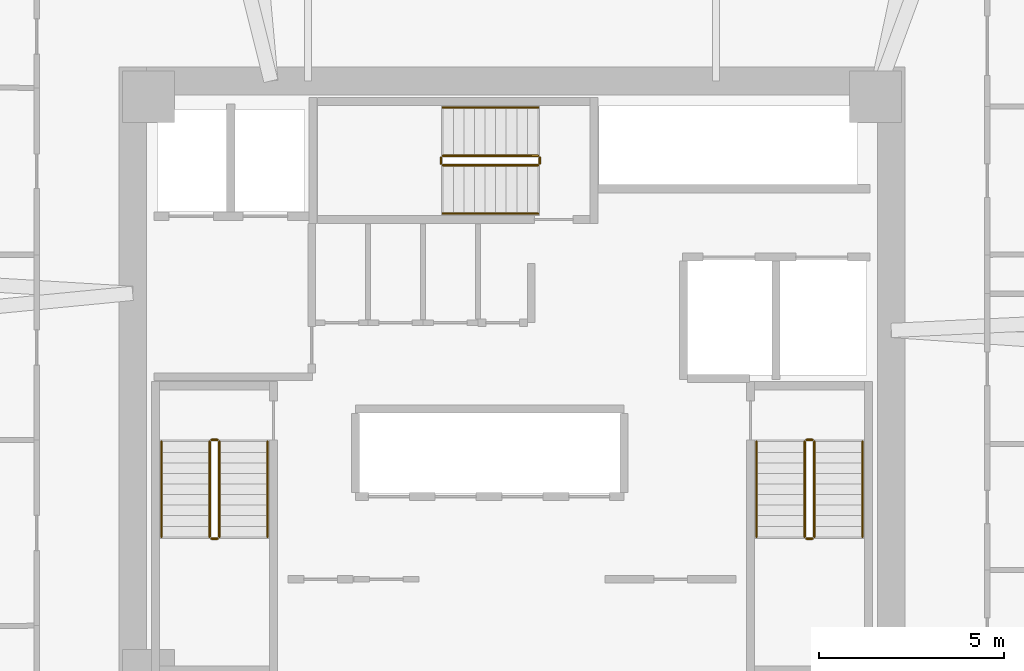
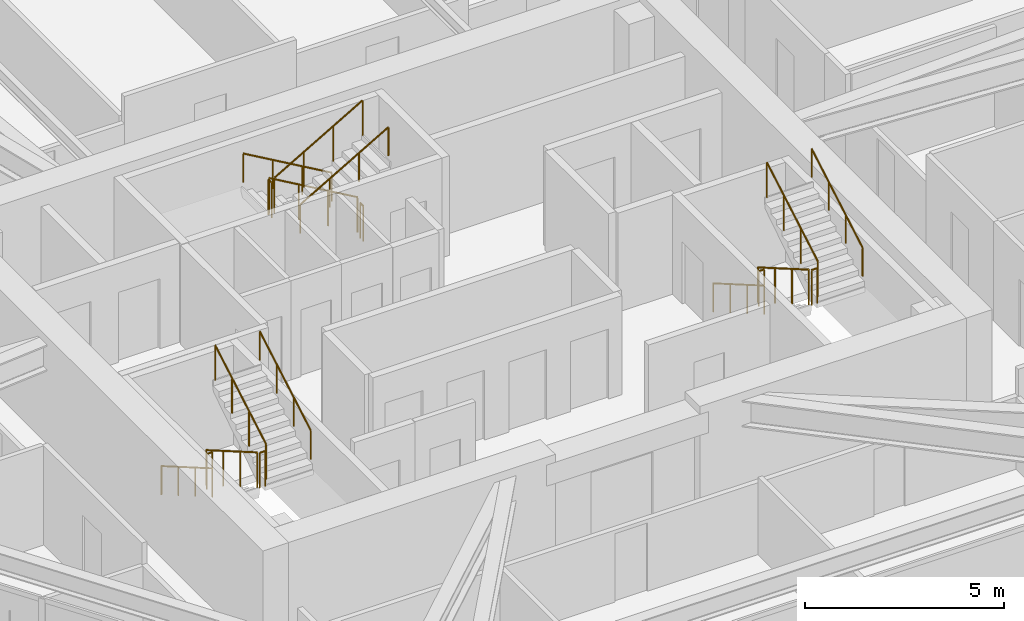
# One storey, part 16 of 16: 18 railings.
"""IFC4 building model written with IfcOpenShell, lengths in metres."""

from ifc_helpers import new_model, si_unit, direction, frame, origin, origin_2d, place, context, subcontext, project, spatial, circle, extrude, material, type_object, element, save


model = new_model("IFC4")

# Units and contexts
model_context = context("Model", 3, precision=1e-05, world=origin(), true_north=direction((0.0, 1.0)))
body_context = subcontext(model_context, "Body", "Model", "MODEL_VIEW")
ifc_project = project(units=[si_unit("LENGTHUNIT", "METRE"), si_unit("AREAUNIT", "SQUARE_METRE"), si_unit("VOLUMEUNIT", "CUBIC_METRE"), si_unit("PLANEANGLEUNIT", "RADIAN"), si_unit("MASSUNIT", "GRAM", prefix="KILO")], contexts=[model_context])

# Site, building, storey
site_placement = place(None, origin())
site = spatial("IfcSite", under=ifc_project, at=site_placement, CompositionType="ELEMENT")
building_placement = place(site_placement, origin())
building = spatial("IfcBuilding", under=site, at=building_placement, Name="Durnholm Broadcast Tower", CompositionType="ELEMENT")
storey_placement = place(building_placement, frame((0.0, 0.0, 123.89990234375)))
storey = spatial("IfcBuildingStorey", under=building, at=storey_placement, Name="L33", CompositionType="ELEMENT", Elevation=123.89990234375)

# Railings
ifc_material_1 = material(Name="Painted Tubular Steel Stair Guardrail", Category="steel")
railing_type_1 = type_object("IfcRailingType", Name="RAIL-ST-GRD", PredefinedType="GUARDRAIL", material=ifc_material_1)
railing_1_placement = place(storey_placement, frame((-8.14990234375, -1.5, 0.1650390625)))
element("IfcRailing", 1, at=railing_1_placement, inside=storey, type_object=railing_type_1, Name="L33 ST-1 stair guard 1", PredefinedType="GUARDRAIL", context=body_context, shape_type="SweptSolid", body=[
    extrude(circle(Radius=0.02392578125, at=origin_2d()), frame((0.0, 0.0, 1.076171875), z_axis=(0.0, -0.865405606168, 0.501071987656), x_axis=(1.0, 0.0, 0.0)), (0.0, 0.0, 1.0), 2.9638671875),
    extrude(circle(Radius=0.02099609375, at=origin_2d()), origin(), (0.0, 0.0, 1.0), 1.052001953125),
    extrude(circle(Radius=0.02099609375, at=origin_2d()), frame((0.0, -0.85498046875, 0.4951171875)), (0.0, 0.0, 1.0), 1.052001953125),
    extrude(circle(Radius=0.02099609375, at=origin_2d()), frame((0.0, -1.7099609375, 0.989990234375)), (0.0, 0.0, 1.0), 1.052001953125),
    extrude(circle(Radius=0.02099609375, at=origin_2d()), frame((0.0, -2.56494140625, 1.485107421875)), (0.0, 0.0, 1.0), 1.052001953125),
])
railing_2_placement = place(storey_placement, frame((-8.10009765625, -4.114990234375, 1.650146484375)))
element("IfcRailing", 2, at=railing_2_placement, inside=storey, type_object=railing_type_1, Name="L33 ST-1 stair guard 2", PredefinedType="GUARDRAIL", context=body_context, shape_type="SweptSolid", body=[
    extrude(circle(Radius=0.02392578125, at=origin_2d()), frame((0.0, 0.0, 1.076171875), z_axis=(1.0, 0.0, 0.0), x_axis=(0.0, 1.0, 0.0)), (0.0, 0.0, 1.0), 0.16015625),
    extrude(circle(Radius=0.02099609375, at=origin_2d()), origin(), (0.0, 0.0, 1.0), 1.052001953125),
    extrude(circle(Radius=0.02099609375, at=origin_2d()), frame((0.16015625, 0.0, 0.0)), (0.0, 0.0, 1.0), 1.052001953125),
])
railing_3_placement = place(storey_placement, frame((-7.889892578125, -4.06494140625, 1.815185546875)))
element("IfcRailing", 3, at=railing_3_placement, inside=storey, type_object=railing_type_1, Name="L33 ST-1 stair guard 3", PredefinedType="GUARDRAIL", context=body_context, shape_type="SweptSolid", body=[
    extrude(circle(Radius=0.02392578125, at=origin_2d()), frame((0.0, 0.0, 1.076171875), z_axis=(0.0, 0.865441324677, 0.50101029285), x_axis=(-1.0, 0.0, 0.0)), (0.0, 0.0, 1.0), 2.963623046875),
    extrude(circle(Radius=0.02099609375, at=origin_2d()), origin(), (0.0, 0.0, 1.0), 1.052001953125),
    extrude(circle(Radius=0.02099609375, at=origin_2d()), frame((0.0, 0.85498046875, 0.494873046875)), (0.0, 0.0, 1.0), 1.052001953125),
    extrude(circle(Radius=0.02099609375, at=origin_2d()), frame((0.0, 1.7099609375, 0.989990234375)), (0.0, 0.0, 1.0), 1.052001953125),
    extrude(circle(Radius=0.02099609375, at=origin_2d()), frame((0.0, 2.56494140625, 1.48486328125)), (0.0, 0.0, 1.0), 1.052001953125),
])
railing_4_placement = place(storey_placement, frame((-8.10009765625, -1.449951171875, 0.0)))
element("IfcRailing", 4, at=railing_4_placement, inside=storey, type_object=railing_type_1, Name="L33 ST-1 stair guard 4", PredefinedType="GUARDRAIL", context=body_context, shape_type="SweptSolid", body=[
    extrude(circle(Radius=0.02392578125, at=origin_2d()), frame((0.0, 0.0, 1.076171875), z_axis=(1.0, 0.0, 0.0), x_axis=(0.0, 1.0, 0.0)), (0.0, 0.0, 1.0), 0.16015625),
    extrude(circle(Radius=0.02099609375, at=origin_2d()), origin(), (0.0, 0.0, 1.0), 1.052001953125),
    extrude(circle(Radius=0.02099609375, at=origin_2d()), frame((0.16015625, 0.0, 0.0)), (0.0, 0.0, 1.0), 1.052001953125),
])
railing_5_placement = place(storey_placement, frame((7.889892578125, -1.5, 0.1650390625)))
element("IfcRailing", 5, at=railing_5_placement, inside=storey, type_object=railing_type_1, Name="L33 ST-2 stair guard 1", PredefinedType="GUARDRAIL", context=body_context, shape_type="SweptSolid", body=[
    extrude(circle(Radius=0.02392578125, at=origin_2d()), frame((0.0, 0.0, 1.076171875), z_axis=(0.0, -0.865405606168, 0.501071987656), x_axis=(1.0, 0.0, 0.0)), (0.0, 0.0, 1.0), 2.9638671875),
    extrude(circle(Radius=0.02099609375, at=origin_2d()), origin(), (0.0, 0.0, 1.0), 1.052001953125),
    extrude(circle(Radius=0.02099609375, at=origin_2d()), frame((0.0, -0.85498046875, 0.4951171875)), (0.0, 0.0, 1.0), 1.052001953125),
    extrude(circle(Radius=0.02099609375, at=origin_2d()), frame((0.0, -1.7099609375, 0.989990234375)), (0.0, 0.0, 1.0), 1.052001953125),
    extrude(circle(Radius=0.02099609375, at=origin_2d()), frame((0.0, -2.56494140625, 1.485107421875)), (0.0, 0.0, 1.0), 1.052001953125),
])
railing_6_placement = place(storey_placement, frame((7.93994140625, -4.114990234375, 1.650146484375)))
element("IfcRailing", 6, at=railing_6_placement, inside=storey, type_object=railing_type_1, Name="L33 ST-2 stair guard 2", PredefinedType="GUARDRAIL", context=body_context, shape_type="SweptSolid", body=[
    extrude(circle(Radius=0.02392578125, at=origin_2d()), frame((0.0, 0.0, 1.076171875), z_axis=(1.0, 0.0, 0.0), x_axis=(0.0, 1.0, 0.0)), (0.0, 0.0, 1.0), 0.16015625),
    extrude(circle(Radius=0.02099609375, at=origin_2d()), origin(), (0.0, 0.0, 1.0), 1.052001953125),
    extrude(circle(Radius=0.02099609375, at=origin_2d()), frame((0.16015625, 0.0, 0.0)), (0.0, 0.0, 1.0), 1.052001953125),
])
railing_7_placement = place(storey_placement, frame((8.14990234375, -4.06494140625, 1.815185546875)))
element("IfcRailing", 7, at=railing_7_placement, inside=storey, type_object=railing_type_1, Name="L33 ST-2 stair guard 3", PredefinedType="GUARDRAIL", context=body_context, shape_type="SweptSolid", body=[
    extrude(circle(Radius=0.02392578125, at=origin_2d()), frame((0.0, 0.0, 1.076171875), z_axis=(0.0, 0.865441324677, 0.50101029285), x_axis=(-1.0, 0.0, 0.0)), (0.0, 0.0, 1.0), 2.963623046875),
    extrude(circle(Radius=0.02099609375, at=origin_2d()), origin(), (0.0, 0.0, 1.0), 1.052001953125),
    extrude(circle(Radius=0.02099609375, at=origin_2d()), frame((0.0, 0.85498046875, 0.494873046875)), (0.0, 0.0, 1.0), 1.052001953125),
    extrude(circle(Radius=0.02099609375, at=origin_2d()), frame((0.0, 1.7099609375, 0.989990234375)), (0.0, 0.0, 1.0), 1.052001953125),
    extrude(circle(Radius=0.02099609375, at=origin_2d()), frame((0.0, 2.56494140625, 1.48486328125)), (0.0, 0.0, 1.0), 1.052001953125),
])
railing_8_placement = place(storey_placement, frame((7.93994140625, -1.449951171875, 0.0)))
element("IfcRailing", 8, at=railing_8_placement, inside=storey, type_object=railing_type_1, Name="L33 ST-2 stair guard 4", PredefinedType="GUARDRAIL", context=body_context, shape_type="SweptSolid", body=[
    extrude(circle(Radius=0.02392578125, at=origin_2d()), frame((0.0, 0.0, 1.076171875), z_axis=(1.0, 0.0, 0.0), x_axis=(0.0, 1.0, 0.0)), (0.0, 0.0, 1.0), 0.16015625),
    extrude(circle(Radius=0.02099609375, at=origin_2d()), origin(), (0.0, 0.0, 1.0), 1.052001953125),
    extrude(circle(Radius=0.02099609375, at=origin_2d()), frame((0.16015625, 0.0, 0.0)), (0.0, 0.0, 1.0), 1.052001953125),
])
railing_9_placement = place(storey_placement, frame((0.699951171875, 6.2099609375, 0.1650390625)))
element("IfcRailing", 9, at=railing_9_placement, inside=storey, type_object=railing_type_1, Name="L33 ST-3 stair guard 1", PredefinedType="GUARDRAIL", context=body_context, shape_type="SweptSolid", body=[
    extrude(circle(Radius=0.02392578125, at=origin_2d()), frame((0.0, 0.0, 1.076171875), z_axis=(-0.865405606168, 0.0, 0.501071987656), x_axis=(0.0, -1.0, 0.0)), (0.0, 0.0, 1.0), 2.9638671875),
    extrude(circle(Radius=0.02099609375, at=origin_2d()), origin(), (0.0, 0.0, 1.0), 1.052001953125),
    extrude(circle(Radius=0.02099609375, at=origin_2d()), frame((-0.85498046875, 0.0, 0.4951171875)), (0.0, 0.0, 1.0), 1.052001953125),
    extrude(circle(Radius=0.02099609375, at=origin_2d()), frame((-1.7099609375, 0.0, 0.989990234375)), (0.0, 0.0, 1.0), 1.052001953125),
    extrude(circle(Radius=0.02099609375, at=origin_2d()), frame((-2.56494140625, 0.0, 1.485107421875)), (0.0, 0.0, 1.0), 1.052001953125),
])
railing_10_placement = place(storey_placement, frame((-1.9150390625, 6.159912109375, 1.650146484375)))
element("IfcRailing", 10, at=railing_10_placement, inside=storey, type_object=railing_type_1, Name="L33 ST-3 stair guard 2", PredefinedType="GUARDRAIL", context=body_context, shape_type="SweptSolid", body=[
    extrude(circle(Radius=0.02392578125, at=origin_2d()), frame((0.0, 0.0, 1.076171875), z_axis=(0.0, -1.0, 0.0), x_axis=(1.0, 0.0, 0.0)), (0.0, 0.0, 1.0), 0.159912109375),
    extrude(circle(Radius=0.02099609375, at=origin_2d()), origin(), (0.0, 0.0, 1.0), 1.052001953125),
    extrude(circle(Radius=0.02099609375, at=origin_2d()), frame((0.0, -0.159912109375, 0.0)), (0.0, 0.0, 1.0), 1.052001953125),
])
railing_11_placement = place(storey_placement, frame((-1.864990234375, 5.949951171875, 1.815185546875)))
element("IfcRailing", 11, at=railing_11_placement, inside=storey, type_object=railing_type_1, Name="L33 ST-3 stair guard 3", PredefinedType="GUARDRAIL", context=body_context, shape_type="SweptSolid", body=[
    extrude(circle(Radius=0.02392578125, at=origin_2d()), frame((0.0, 0.0, 1.076171875), z_axis=(0.865441324677, 0.0, 0.50101029285), x_axis=(0.0, 1.0, 0.0)), (0.0, 0.0, 1.0), 2.963623046875),
    extrude(circle(Radius=0.02099609375, at=origin_2d()), origin(), (0.0, 0.0, 1.0), 1.052001953125),
    extrude(circle(Radius=0.02099609375, at=origin_2d()), frame((0.85498046875, 0.0, 0.494873046875)), (0.0, 0.0, 1.0), 1.052001953125),
    extrude(circle(Radius=0.02099609375, at=origin_2d()), frame((1.7099609375, 0.0, 0.989990234375)), (0.0, 0.0, 1.0), 1.052001953125),
    extrude(circle(Radius=0.02099609375, at=origin_2d()), frame((2.56494140625, 0.0, 1.48486328125)), (0.0, 0.0, 1.0), 1.052001953125),
])
railing_12_placement = place(storey_placement, frame((0.75, 6.159912109375, 0.0)))
element("IfcRailing", 12, at=railing_12_placement, inside=storey, type_object=railing_type_1, Name="L33 ST-3 stair guard 4", PredefinedType="GUARDRAIL", context=body_context, shape_type="SweptSolid", body=[
    extrude(circle(Radius=0.02392578125, at=origin_2d()), frame((0.0, 0.0, 1.076171875), z_axis=(0.0, -1.0, 0.0), x_axis=(1.0, 0.0, 0.0)), (0.0, 0.0, 1.0), 0.159912109375),
    extrude(circle(Radius=0.02099609375, at=origin_2d()), origin(), (0.0, 0.0, 1.0), 1.052001953125),
    extrude(circle(Radius=0.02099609375, at=origin_2d()), frame((0.0, -0.159912109375, 0.0)), (0.0, 0.0, 1.0), 1.052001953125),
])
ifc_material_2 = material(Name="Brushed Stainless Steel Handrail", Category="steel")
railing_type_2 = type_object("IfcRailingType", Name="RAIL-ST-HND", PredefinedType="HANDRAIL", material=ifc_material_2)
railing_13_placement = place(storey_placement, frame((-9.449951171875, -1.5, 0.330078125)))
element("IfcRailing", 13, at=railing_13_placement, inside=storey, type_object=railing_type_2, Name="L33 ST-1 stair handrail 1", PredefinedType="HANDRAIL", context=body_context, shape_type="SweptSolid", body=[
    extrude(circle(Radius=0.02392578125, at=origin_2d()), frame((0.0, 0.0, 0.8759765625), z_axis=(0.0, -0.865405606168, 0.501071987656), x_axis=(1.0, 0.0, 0.0)), (0.0, 0.0, 1.0), 2.9638671875),
    extrude(circle(Radius=0.02099609375, at=origin_2d()), origin(), (0.0, 0.0, 1.0), 0.851806640625),
    extrude(circle(Radius=0.02099609375, at=origin_2d()), frame((0.0, -0.85498046875, 0.4951171875)), (0.0, 0.0, 1.0), 0.851806640625),
    extrude(circle(Radius=0.02099609375, at=origin_2d()), frame((0.0, -1.7099609375, 0.989990234375)), (0.0, 0.0, 1.0), 0.851806640625),
    extrude(circle(Radius=0.02099609375, at=origin_2d()), frame((0.0, -2.56494140625, 1.485107421875)), (0.0, 0.0, 1.0), 0.851806640625),
])
railing_14_placement = place(storey_placement, frame((-6.590087890625, -4.06494140625, 1.97998046875)))
element("IfcRailing", 14, at=railing_14_placement, inside=storey, type_object=railing_type_2, Name="L33 ST-1 stair handrail 2", PredefinedType="HANDRAIL", context=body_context, shape_type="SweptSolid", body=[
    extrude(circle(Radius=0.02392578125, at=origin_2d()), frame((0.0, 0.0, 0.8759765625), z_axis=(0.0, 0.865405606168, 0.501071987656), x_axis=(-1.0, 0.0, 0.0)), (0.0, 0.0, 1.0), 2.9638671875),
    extrude(circle(Radius=0.02099609375, at=origin_2d()), origin(), (0.0, 0.0, 1.0), 0.851806640625),
    extrude(circle(Radius=0.02099609375, at=origin_2d()), frame((0.0, 0.85498046875, 0.4951171875)), (0.0, 0.0, 1.0), 0.851806640625),
    extrude(circle(Radius=0.02099609375, at=origin_2d()), frame((0.0, 1.7099609375, 0.989990234375)), (0.0, 0.0, 1.0), 0.851806640625),
    extrude(circle(Radius=0.02099609375, at=origin_2d()), frame((0.0, 2.56494140625, 1.485107421875)), (0.0, 0.0, 1.0), 0.851806640625),
])
railing_15_placement = place(storey_placement, frame((6.590087890625, -1.5, 0.330078125)))
element("IfcRailing", 15, at=railing_15_placement, inside=storey, type_object=railing_type_2, Name="L33 ST-2 stair handrail 1", PredefinedType="HANDRAIL", context=body_context, shape_type="SweptSolid", body=[
    extrude(circle(Radius=0.02392578125, at=origin_2d()), frame((0.0, 0.0, 0.8759765625), z_axis=(0.0, -0.865405606168, 0.501071987656), x_axis=(1.0, 0.0, 0.0)), (0.0, 0.0, 1.0), 2.9638671875),
    extrude(circle(Radius=0.02099609375, at=origin_2d()), origin(), (0.0, 0.0, 1.0), 0.851806640625),
    extrude(circle(Radius=0.02099609375, at=origin_2d()), frame((0.0, -0.85498046875, 0.4951171875)), (0.0, 0.0, 1.0), 0.851806640625),
    extrude(circle(Radius=0.02099609375, at=origin_2d()), frame((0.0, -1.7099609375, 0.989990234375)), (0.0, 0.0, 1.0), 0.851806640625),
    extrude(circle(Radius=0.02099609375, at=origin_2d()), frame((0.0, -2.56494140625, 1.485107421875)), (0.0, 0.0, 1.0), 0.851806640625),
])
railing_16_placement = place(storey_placement, frame((9.449951171875, -4.06494140625, 1.97998046875)))
element("IfcRailing", 16, at=railing_16_placement, inside=storey, type_object=railing_type_2, Name="L33 ST-2 stair handrail 2", PredefinedType="HANDRAIL", context=body_context, shape_type="SweptSolid", body=[
    extrude(circle(Radius=0.02392578125, at=origin_2d()), frame((0.0, 0.0, 0.8759765625), z_axis=(0.0, 0.865405606168, 0.501071987656), x_axis=(-1.0, 0.0, 0.0)), (0.0, 0.0, 1.0), 2.9638671875),
    extrude(circle(Radius=0.02099609375, at=origin_2d()), origin(), (0.0, 0.0, 1.0), 0.851806640625),
    extrude(circle(Radius=0.02099609375, at=origin_2d()), frame((0.0, 0.85498046875, 0.4951171875)), (0.0, 0.0, 1.0), 0.851806640625),
    extrude(circle(Radius=0.02099609375, at=origin_2d()), frame((0.0, 1.7099609375, 0.989990234375)), (0.0, 0.0, 1.0), 0.851806640625),
    extrude(circle(Radius=0.02099609375, at=origin_2d()), frame((0.0, 2.56494140625, 1.485107421875)), (0.0, 0.0, 1.0), 0.851806640625),
])
railing_17_placement = place(storey_placement, frame((0.699951171875, 7.510009765625, 0.330078125)))
element("IfcRailing", 17, at=railing_17_placement, inside=storey, type_object=railing_type_2, Name="L33 ST-3 stair handrail 1", PredefinedType="HANDRAIL", context=body_context, shape_type="SweptSolid", body=[
    extrude(circle(Radius=0.02392578125, at=origin_2d()), frame((0.0, 0.0, 0.8759765625), z_axis=(-0.865405606168, 0.0, 0.501071987656), x_axis=(0.0, -1.0, 0.0)), (0.0, 0.0, 1.0), 2.9638671875),
    extrude(circle(Radius=0.02099609375, at=origin_2d()), origin(), (0.0, 0.0, 1.0), 0.851806640625),
    extrude(circle(Radius=0.02099609375, at=origin_2d()), frame((-0.85498046875, 0.0, 0.4951171875)), (0.0, 0.0, 1.0), 0.851806640625),
    extrude(circle(Radius=0.02099609375, at=origin_2d()), frame((-1.7099609375, 0.0, 0.989990234375)), (0.0, 0.0, 1.0), 0.851806640625),
    extrude(circle(Radius=0.02099609375, at=origin_2d()), frame((-2.56494140625, 0.0, 1.485107421875)), (0.0, 0.0, 1.0), 0.851806640625),
])
railing_18_placement = place(storey_placement, frame((-1.864990234375, 4.64990234375, 1.97998046875)))
element("IfcRailing", 18, at=railing_18_placement, inside=storey, type_object=railing_type_2, Name="L33 ST-3 stair handrail 2", PredefinedType="HANDRAIL", context=body_context, shape_type="SweptSolid", body=[
    extrude(circle(Radius=0.02392578125, at=origin_2d()), frame((0.0, 0.0, 0.8759765625), z_axis=(0.865405606168, 0.0, 0.501071987656), x_axis=(0.0, 1.0, 0.0)), (0.0, 0.0, 1.0), 2.9638671875),
    extrude(circle(Radius=0.02099609375, at=origin_2d()), origin(), (0.0, 0.0, 1.0), 0.851806640625),
    extrude(circle(Radius=0.02099609375, at=origin_2d()), frame((0.85498046875, 0.0, 0.4951171875)), (0.0, 0.0, 1.0), 0.851806640625),
    extrude(circle(Radius=0.02099609375, at=origin_2d()), frame((1.7099609375, 0.0, 0.989990234375)), (0.0, 0.0, 1.0), 0.851806640625),
    extrude(circle(Radius=0.02099609375, at=origin_2d()), frame((2.56494140625, 0.0, 1.485107421875)), (0.0, 0.0, 1.0), 0.851806640625),
])

save(model, "model.ifc")
